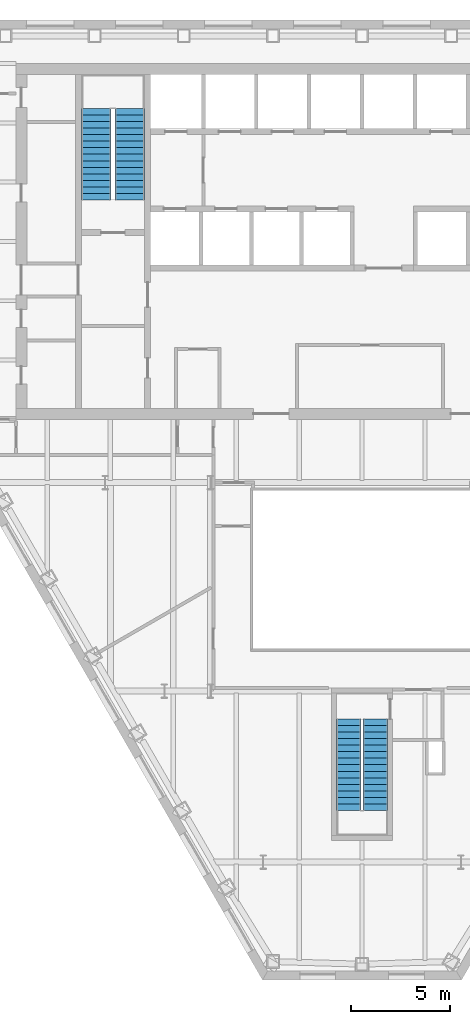
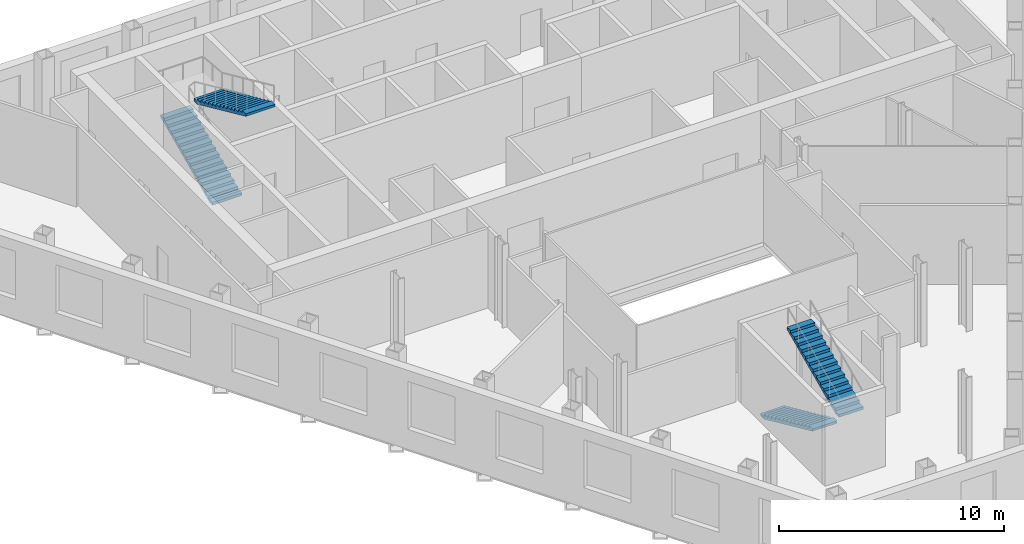
# One storey, part 9 of 11: 4 stair flights, 2 elements without a shape of their own.
"""IFC4 building model written with IfcOpenShell, lengths in metres."""

from ifc_helpers import new_model, si_unit, direction, frame, origin, place, context, subcontext, project, spatial, polygons, material, type_object, element, aggregate, save


model = new_model("IFC4")

# Units and contexts
model_context = context("Model", 3, precision=1e-05, world=origin(), true_north=direction((0.0, 1.0)))
body_context = subcontext(model_context, "Body", "Model", "MODEL_VIEW")
ifc_project = project(units=[si_unit("LENGTHUNIT", "METRE"), si_unit("AREAUNIT", "SQUARE_METRE"), si_unit("VOLUMEUNIT", "CUBIC_METRE"), si_unit("PLANEANGLEUNIT", "RADIAN"), si_unit("MASSUNIT", "GRAM", prefix="KILO")], contexts=[model_context])

# Site, building, storey
site_placement = place(None, origin())
site = spatial("IfcSite", under=ifc_project, at=site_placement, CompositionType="ELEMENT")
building_placement = place(site_placement, origin())
building = spatial("IfcBuilding", under=site, at=building_placement, Name="Njiva Tower", CompositionType="ELEMENT")
storey_placement = place(building_placement, frame((0.0, 0.0, 97.8)))
storey = spatial("IfcBuildingStorey", under=building, at=storey_placement, Name="L20", CompositionType="ELEMENT", Elevation=97.8)

# Stair, stair flights
ifc_material = material(Name="Concrete C40/50", Category="concrete")
stair_type_1 = type_object("IfcStairType", Name="ST1 Exit stair 1250", PredefinedType="HALF_TURN_STAIR", material=ifc_material)
stair_1_placement = place(storey_placement, origin())
stair_1 = element("IfcStair", 1, at=stair_1_placement, inside=storey, type_object=stair_type_1, Name="Stair C", PredefinedType="HALF_TURN_STAIR")
stair_flight_type_1 = type_object("IfcStairFlightType", Name="FL1 Stair flight 1250", PredefinedType="STRAIGHT", material=ifc_material)
stair_flight_1_placement = place(storey_placement, frame((-0.675, -15.16, 0.0), z_axis=(0.0, 0.0, 1.0), x_axis=(0.0, -1.0, 0.0)))
stair_flight_1 = element("IfcStairFlight", 2, at=stair_flight_1_placement, type_object=stair_flight_type_1, Name="ST-C flight 1", NumberOfRisers=15, NumberOfTreads=14, PredefinedType="STRAIGHT", RiserHeight=0.15, TreadLength=0.33, context=body_context, shape_type="Tessellation", body=[
    polygons([(0.0, 0.625, 0.0), (0.0, 0.3125, 0.0), (0.0, 0.0, 0.0), (0.0, -0.3125, 0.0), (0.0, -0.625, 0.0), (0.0, 0.625, 0.15), (0.0, 0.3125, 0.15), (0.0, 0.0, 0.15), (0.0, -0.3125, 0.15), (0.0, -0.625, 0.15), (0.33, 0.625, 0.15), (0.33, 0.3125, 0.15), (0.33, 0.0, 0.15), (0.33, -0.3125, 0.15), (0.33, -0.625, 0.15), (0.33, 0.625, 0.3), (0.33, 0.3125, 0.3), (0.33, 0.0, 0.3), (0.33, -0.3125, 0.3), (0.33, -0.625, 0.3), (0.66, 0.625, 0.3), (0.66, 0.3125, 0.3), (0.66, 0.0, 0.3), (0.66, -0.3125, 0.3), (0.66, -0.625, 0.3), (0.66, 0.625, 0.45), (0.66, 0.3125, 0.45), (0.66, 0.0, 0.45), (0.66, -0.3125, 0.45), (0.66, -0.625, 0.45), (0.99, 0.625, 0.45), (0.99, 0.3125, 0.45), (0.99, 0.0, 0.45), (0.99, -0.3125, 0.45), (0.99, -0.625, 0.45), (0.99, 0.625, 0.6), (0.99, 0.3125, 0.6), (0.99, 0.0, 0.6), (0.99, -0.3125, 0.6), (0.99, -0.625, 0.6), (1.32, 0.625, 0.6), (1.32, 0.3125, 0.6), (1.32, 0.0, 0.6), (1.32, -0.3125, 0.6), (1.32, -0.625, 0.6), (1.32, 0.625, 0.75), (1.32, 0.3125, 0.75), (1.32, 0.0, 0.75), (1.32, -0.3125, 0.75), (1.32, -0.625, 0.75), (1.65, 0.625, 0.75), (1.65, 0.3125, 0.75), (1.65, 0.0, 0.75), (1.65, -0.3125, 0.75), (1.65, -0.625, 0.75), (1.65, 0.625, 0.9), (1.65, 0.3125, 0.9), (1.65, 0.0, 0.9), (1.65, -0.3125, 0.9), (1.65, -0.625, 0.9), (1.98, 0.625, 0.9), (1.98, 0.3125, 0.9), (1.98, 0.0, 0.9), (1.98, -0.3125, 0.9), (1.98, -0.625, 0.9), (1.98, 0.625, 1.05), (1.98, 0.3125, 1.05), (1.98, 0.0, 1.05), (1.98, -0.3125, 1.05), (1.98, -0.625, 1.05), (2.31, 0.625, 1.05), (2.31, 0.3125, 1.05), (2.31, 0.0, 1.05), (2.31, -0.3125, 1.05), (2.31, -0.625, 1.05), (2.31, 0.625, 1.2), (2.31, 0.3125, 1.2), (2.31, 0.0, 1.2), (2.31, -0.3125, 1.2), (2.31, -0.625, 1.2), (2.64, 0.625, 1.2), (2.64, 0.3125, 1.2), (2.64, 0.0, 1.2), (2.64, -0.3125, 1.2), (2.64, -0.625, 1.2), (2.64, 0.625, 1.35), (2.64, 0.3125, 1.35), (2.64, 0.0, 1.35), (2.64, -0.3125, 1.35), (2.64, -0.625, 1.35), (2.97, 0.625, 1.35), (2.97, 0.3125, 1.35), (2.97, 0.0, 1.35), (2.97, -0.3125, 1.35), (2.97, -0.625, 1.35), (2.97, 0.625, 1.5), (2.97, 0.3125, 1.5), (2.97, 0.0, 1.5), (2.97, -0.3125, 1.5), (2.97, -0.625, 1.5), (3.3, 0.625, 1.5), (3.3, 0.3125, 1.5), (3.3, 0.0, 1.5), (3.3, -0.3125, 1.5), (3.3, -0.625, 1.5), (3.3, 0.625, 1.65), (3.3, 0.3125, 1.65), (3.3, 0.0, 1.65), (3.3, -0.3125, 1.65), (3.3, -0.625, 1.65), (3.63, 0.625, 1.65), (3.63, 0.3125, 1.65), (3.63, 0.0, 1.65), (3.63, -0.3125, 1.65), (3.63, -0.625, 1.65), (3.63, 0.625, 1.8), (3.63, 0.3125, 1.8), (3.63, 0.0, 1.8), (3.63, -0.3125, 1.8), (3.63, -0.625, 1.8), (3.96, 0.625, 1.8), (3.96, 0.3125, 1.8), (3.96, 0.0, 1.8), (3.96, -0.3125, 1.8), (3.96, -0.625, 1.8), (3.96, 0.625, 1.95), (3.96, 0.3125, 1.95), (3.96, 0.0, 1.95), (3.96, -0.3125, 1.95), (3.96, -0.625, 1.95), (4.29, 0.625, 1.95), (4.29, 0.3125, 1.95), (4.29, 0.0, 1.95), (4.29, -0.3125, 1.95), (4.29, -0.625, 1.95), (4.29, 0.625, 2.1), (4.29, 0.3125, 2.1), (4.29, 0.0, 2.1), (4.29, -0.3125, 2.1), (4.29, -0.625, 2.1), (4.62, 0.625, 2.1), (4.62, 0.3125, 2.1), (4.62, 0.0, 2.1), (4.62, -0.3125, 2.1), (4.62, -0.625, 2.1), (4.62, 0.625, 1.9682), (4.62, 0.3125, 1.9682), (4.62, 0.0, 1.9682), (4.62, -0.3125, 1.9682), (4.62, -0.625, 1.9682), (0.29, 0.625, 0.0), (0.29, 0.3125, 0.0), (0.29, 0.0, 0.0), (0.29, -0.3125, 0.0), (0.29, -0.625, 0.0)], [[[1, 6, 11, 16, 21, 26, 31, 36, 41, 46, 51, 56, 61, 66, 71, 76, 81, 86, 91, 96, 101, 106, 111, 116, 121, 126, 131, 136, 141, 146, 151]], [[155, 150, 145, 140, 135, 130, 125, 120, 115, 110, 105, 100, 95, 90, 85, 80, 75, 70, 65, 60, 55, 50, 45, 40, 35, 30, 25, 20, 15, 10, 5]], [[6, 1, 2, 7]], [[7, 2, 3, 8]], [[8, 3, 4, 9]], [[9, 4, 5, 10]], [[11, 6, 7, 12]], [[12, 7, 8, 13]], [[13, 8, 9, 14]], [[14, 9, 10, 15]], [[16, 11, 12, 17]], [[17, 12, 13, 18]], [[18, 13, 14, 19]], [[19, 14, 15, 20]], [[21, 16, 17, 22]], [[22, 17, 18, 23]], [[23, 18, 19, 24]], [[24, 19, 20, 25]], [[26, 21, 22, 27]], [[27, 22, 23, 28]], [[28, 23, 24, 29]], [[29, 24, 25, 30]], [[31, 26, 27, 32]], [[32, 27, 28, 33]], [[33, 28, 29, 34]], [[34, 29, 30, 35]], [[36, 31, 32, 37]], [[37, 32, 33, 38]], [[38, 33, 34, 39]], [[39, 34, 35, 40]], [[41, 36, 37, 42]], [[42, 37, 38, 43]], [[43, 38, 39, 44]], [[44, 39, 40, 45]], [[46, 41, 42, 47]], [[47, 42, 43, 48]], [[48, 43, 44, 49]], [[49, 44, 45, 50]], [[51, 46, 47, 52]], [[52, 47, 48, 53]], [[53, 48, 49, 54]], [[54, 49, 50, 55]], [[56, 51, 52, 57]], [[57, 52, 53, 58]], [[58, 53, 54, 59]], [[59, 54, 55, 60]], [[61, 56, 57, 62]], [[62, 57, 58, 63]], [[63, 58, 59, 64]], [[64, 59, 60, 65]], [[66, 61, 62, 67]], [[67, 62, 63, 68]], [[68, 63, 64, 69]], [[69, 64, 65, 70]], [[71, 66, 67, 72]], [[72, 67, 68, 73]], [[73, 68, 69, 74]], [[74, 69, 70, 75]], [[76, 71, 72, 77]], [[77, 72, 73, 78]], [[78, 73, 74, 79]], [[79, 74, 75, 80]], [[81, 76, 77, 82]], [[82, 77, 78, 83]], [[83, 78, 79, 84]], [[84, 79, 80, 85]], [[86, 81, 82, 87]], [[87, 82, 83, 88]], [[88, 83, 84, 89]], [[89, 84, 85, 90]], [[91, 86, 87, 92]], [[92, 87, 88, 93]], [[93, 88, 89, 94]], [[94, 89, 90, 95]], [[96, 91, 92, 97]], [[97, 92, 93, 98]], [[98, 93, 94, 99]], [[99, 94, 95, 100]], [[101, 96, 97, 102]], [[102, 97, 98, 103]], [[103, 98, 99, 104]], [[104, 99, 100, 105]], [[106, 101, 102, 107]], [[107, 102, 103, 108]], [[108, 103, 104, 109]], [[109, 104, 105, 110]], [[111, 106, 107, 112]], [[112, 107, 108, 113]], [[113, 108, 109, 114]], [[114, 109, 110, 115]], [[116, 111, 112, 117]], [[117, 112, 113, 118]], [[118, 113, 114, 119]], [[119, 114, 115, 120]], [[121, 116, 117, 122]], [[122, 117, 118, 123]], [[123, 118, 119, 124]], [[124, 119, 120, 125]], [[126, 121, 122, 127]], [[127, 122, 123, 128]], [[128, 123, 124, 129]], [[129, 124, 125, 130]], [[131, 126, 127, 132]], [[132, 127, 128, 133]], [[133, 128, 129, 134]], [[134, 129, 130, 135]], [[136, 131, 132, 137]], [[137, 132, 133, 138]], [[138, 133, 134, 139]], [[139, 134, 135, 140]], [[141, 136, 137, 142]], [[142, 137, 138, 143]], [[143, 138, 139, 144]], [[144, 139, 140, 145]], [[146, 141, 142, 147]], [[147, 142, 143, 148]], [[148, 143, 144, 149]], [[149, 144, 145, 150]], [[151, 146, 147, 152]], [[152, 147, 148, 153]], [[153, 148, 149, 154]], [[154, 149, 150, 155]], [[1, 151, 152, 2]], [[2, 152, 153, 3]], [[3, 153, 154, 4]], [[4, 154, 155, 5]]], closed=True),
])
stair_flight_2_placement = place(storey_placement, frame((0.675, -19.78, 2.25), z_axis=(0.0, 0.0, 1.0), x_axis=(0.0, 1.0, 0.0)))
stair_flight_2 = element("IfcStairFlight", 3, at=stair_flight_2_placement, type_object=stair_flight_type_1, Name="ST-C flight 2", NumberOfRisers=15, NumberOfTreads=14, PredefinedType="STRAIGHT", RiserHeight=0.15, TreadLength=0.33, context=body_context, shape_type="Tessellation", body=[
    polygons([(0.0, 0.625, 0.0), (0.0, 0.3125, 0.0), (0.0, 0.0, 0.0), (0.0, -0.3125, 0.0), (0.0, -0.625, 0.0), (0.0, 0.625, 0.15), (0.0, 0.3125, 0.15), (0.0, 0.0, 0.15), (0.0, -0.3125, 0.15), (0.0, -0.625, 0.15), (0.33, 0.625, 0.15), (0.33, 0.3125, 0.15), (0.33, 0.0, 0.15), (0.33, -0.3125, 0.15), (0.33, -0.625, 0.15), (0.33, 0.625, 0.3), (0.33, 0.3125, 0.3), (0.33, 0.0, 0.3), (0.33, -0.3125, 0.3), (0.33, -0.625, 0.3), (0.66, 0.625, 0.3), (0.66, 0.3125, 0.3), (0.66, 0.0, 0.3), (0.66, -0.3125, 0.3), (0.66, -0.625, 0.3), (0.66, 0.625, 0.45), (0.66, 0.3125, 0.45), (0.66, 0.0, 0.45), (0.66, -0.3125, 0.45), (0.66, -0.625, 0.45), (0.99, 0.625, 0.45), (0.99, 0.3125, 0.45), (0.99, 0.0, 0.45), (0.99, -0.3125, 0.45), (0.99, -0.625, 0.45), (0.99, 0.625, 0.6), (0.99, 0.3125, 0.6), (0.99, 0.0, 0.6), (0.99, -0.3125, 0.6), (0.99, -0.625, 0.6), (1.32, 0.625, 0.6), (1.32, 0.3125, 0.6), (1.32, 0.0, 0.6), (1.32, -0.3125, 0.6), (1.32, -0.625, 0.6), (1.32, 0.625, 0.75), (1.32, 0.3125, 0.75), (1.32, 0.0, 0.75), (1.32, -0.3125, 0.75), (1.32, -0.625, 0.75), (1.65, 0.625, 0.75), (1.65, 0.3125, 0.75), (1.65, 0.0, 0.75), (1.65, -0.3125, 0.75), (1.65, -0.625, 0.75), (1.65, 0.625, 0.9), (1.65, 0.3125, 0.9), (1.65, 0.0, 0.9), (1.65, -0.3125, 0.9), (1.65, -0.625, 0.9), (1.98, 0.625, 0.9), (1.98, 0.3125, 0.9), (1.98, 0.0, 0.9), (1.98, -0.3125, 0.9), (1.98, -0.625, 0.9), (1.98, 0.625, 1.05), (1.98, 0.3125, 1.05), (1.98, 0.0, 1.05), (1.98, -0.3125, 1.05), (1.98, -0.625, 1.05), (2.31, 0.625, 1.05), (2.31, 0.3125, 1.05), (2.31, 0.0, 1.05), (2.31, -0.3125, 1.05), (2.31, -0.625, 1.05), (2.31, 0.625, 1.2), (2.31, 0.3125, 1.2), (2.31, 0.0, 1.2), (2.31, -0.3125, 1.2), (2.31, -0.625, 1.2), (2.64, 0.625, 1.2), (2.64, 0.3125, 1.2), (2.64, 0.0, 1.2), (2.64, -0.3125, 1.2), (2.64, -0.625, 1.2), (2.64, 0.625, 1.35), (2.64, 0.3125, 1.35), (2.64, 0.0, 1.35), (2.64, -0.3125, 1.35), (2.64, -0.625, 1.35), (2.97, 0.625, 1.35), (2.97, 0.3125, 1.35), (2.97, 0.0, 1.35), (2.97, -0.3125, 1.35), (2.97, -0.625, 1.35), (2.97, 0.625, 1.5), (2.97, 0.3125, 1.5), (2.97, 0.0, 1.5), (2.97, -0.3125, 1.5), (2.97, -0.625, 1.5), (3.3, 0.625, 1.5), (3.3, 0.3125, 1.5), (3.3, 0.0, 1.5), (3.3, -0.3125, 1.5), (3.3, -0.625, 1.5), (3.3, 0.625, 1.65), (3.3, 0.3125, 1.65), (3.3, 0.0, 1.65), (3.3, -0.3125, 1.65), (3.3, -0.625, 1.65), (3.63, 0.625, 1.65), (3.63, 0.3125, 1.65), (3.63, 0.0, 1.65), (3.63, -0.3125, 1.65), (3.63, -0.625, 1.65), (3.63, 0.625, 1.8), (3.63, 0.3125, 1.8), (3.63, 0.0, 1.8), (3.63, -0.3125, 1.8), (3.63, -0.625, 1.8), (3.96, 0.625, 1.8), (3.96, 0.3125, 1.8), (3.96, 0.0, 1.8), (3.96, -0.3125, 1.8), (3.96, -0.625, 1.8), (3.96, 0.625, 1.95), (3.96, 0.3125, 1.95), (3.96, 0.0, 1.95), (3.96, -0.3125, 1.95), (3.96, -0.625, 1.95), (4.29, 0.625, 1.95), (4.29, 0.3125, 1.95), (4.29, 0.0, 1.95), (4.29, -0.3125, 1.95), (4.29, -0.625, 1.95), (4.29, 0.625, 2.1), (4.29, 0.3125, 2.1), (4.29, 0.0, 2.1), (4.29, -0.3125, 2.1), (4.29, -0.625, 2.1), (4.62, 0.625, 2.1), (4.62, 0.3125, 2.1), (4.62, 0.0, 2.1), (4.62, -0.3125, 2.1), (4.62, -0.625, 2.1), (4.62, 0.625, 1.9682), (4.62, 0.3125, 1.9682), (4.62, 0.0, 1.9682), (4.62, -0.3125, 1.9682), (4.62, -0.625, 1.9682), (0.29, 0.625, 0.0), (0.29, 0.3125, 0.0), (0.29, 0.0, 0.0), (0.29, -0.3125, 0.0), (0.29, -0.625, 0.0)], [[[1, 6, 11, 16, 21, 26, 31, 36, 41, 46, 51, 56, 61, 66, 71, 76, 81, 86, 91, 96, 101, 106, 111, 116, 121, 126, 131, 136, 141, 146, 151]], [[155, 150, 145, 140, 135, 130, 125, 120, 115, 110, 105, 100, 95, 90, 85, 80, 75, 70, 65, 60, 55, 50, 45, 40, 35, 30, 25, 20, 15, 10, 5]], [[6, 1, 2, 7]], [[7, 2, 3, 8]], [[8, 3, 4, 9]], [[9, 4, 5, 10]], [[11, 6, 7, 12]], [[12, 7, 8, 13]], [[13, 8, 9, 14]], [[14, 9, 10, 15]], [[16, 11, 12, 17]], [[17, 12, 13, 18]], [[18, 13, 14, 19]], [[19, 14, 15, 20]], [[21, 16, 17, 22]], [[22, 17, 18, 23]], [[23, 18, 19, 24]], [[24, 19, 20, 25]], [[26, 21, 22, 27]], [[27, 22, 23, 28]], [[28, 23, 24, 29]], [[29, 24, 25, 30]], [[31, 26, 27, 32]], [[32, 27, 28, 33]], [[33, 28, 29, 34]], [[34, 29, 30, 35]], [[36, 31, 32, 37]], [[37, 32, 33, 38]], [[38, 33, 34, 39]], [[39, 34, 35, 40]], [[41, 36, 37, 42]], [[42, 37, 38, 43]], [[43, 38, 39, 44]], [[44, 39, 40, 45]], [[46, 41, 42, 47]], [[47, 42, 43, 48]], [[48, 43, 44, 49]], [[49, 44, 45, 50]], [[51, 46, 47, 52]], [[52, 47, 48, 53]], [[53, 48, 49, 54]], [[54, 49, 50, 55]], [[56, 51, 52, 57]], [[57, 52, 53, 58]], [[58, 53, 54, 59]], [[59, 54, 55, 60]], [[61, 56, 57, 62]], [[62, 57, 58, 63]], [[63, 58, 59, 64]], [[64, 59, 60, 65]], [[66, 61, 62, 67]], [[67, 62, 63, 68]], [[68, 63, 64, 69]], [[69, 64, 65, 70]], [[71, 66, 67, 72]], [[72, 67, 68, 73]], [[73, 68, 69, 74]], [[74, 69, 70, 75]], [[76, 71, 72, 77]], [[77, 72, 73, 78]], [[78, 73, 74, 79]], [[79, 74, 75, 80]], [[81, 76, 77, 82]], [[82, 77, 78, 83]], [[83, 78, 79, 84]], [[84, 79, 80, 85]], [[86, 81, 82, 87]], [[87, 82, 83, 88]], [[88, 83, 84, 89]], [[89, 84, 85, 90]], [[91, 86, 87, 92]], [[92, 87, 88, 93]], [[93, 88, 89, 94]], [[94, 89, 90, 95]], [[96, 91, 92, 97]], [[97, 92, 93, 98]], [[98, 93, 94, 99]], [[99, 94, 95, 100]], [[101, 96, 97, 102]], [[102, 97, 98, 103]], [[103, 98, 99, 104]], [[104, 99, 100, 105]], [[106, 101, 102, 107]], [[107, 102, 103, 108]], [[108, 103, 104, 109]], [[109, 104, 105, 110]], [[111, 106, 107, 112]], [[112, 107, 108, 113]], [[113, 108, 109, 114]], [[114, 109, 110, 115]], [[116, 111, 112, 117]], [[117, 112, 113, 118]], [[118, 113, 114, 119]], [[119, 114, 115, 120]], [[121, 116, 117, 122]], [[122, 117, 118, 123]], [[123, 118, 119, 124]], [[124, 119, 120, 125]], [[126, 121, 122, 127]], [[127, 122, 123, 128]], [[128, 123, 124, 129]], [[129, 124, 125, 130]], [[131, 126, 127, 132]], [[132, 127, 128, 133]], [[133, 128, 129, 134]], [[134, 129, 130, 135]], [[136, 131, 132, 137]], [[137, 132, 133, 138]], [[138, 133, 134, 139]], [[139, 134, 135, 140]], [[141, 136, 137, 142]], [[142, 137, 138, 143]], [[143, 138, 139, 144]], [[144, 139, 140, 145]], [[146, 141, 142, 147]], [[147, 142, 143, 148]], [[148, 143, 144, 149]], [[149, 144, 145, 150]], [[151, 146, 147, 152]], [[152, 147, 148, 153]], [[153, 148, 149, 154]], [[154, 149, 150, 155]], [[1, 151, 152, 2]], [[2, 152, 153, 3]], [[3, 153, 154, 4]], [[4, 154, 155, 5]]], closed=True),
])
aggregate(stair_1, [stair_flight_1, stair_flight_2])

stair_type_2 = type_object("IfcStairType", Name="ST4 Exit stair 1500", PredefinedType="HALF_TURN_STAIR", material=ifc_material)
stair_2_placement = place(storey_placement, origin())
stair_2 = element("IfcStair", 4, at=stair_2_placement, inside=storey, type_object=stair_type_2, Name="Stair A", PredefinedType="HALF_TURN_STAIR")
stair_flight_type_2 = type_object("IfcStairFlightType", Name="FL4 Stair flight 1500", PredefinedType="STRAIGHT", material=ifc_material)
stair_flight_3_placement = place(storey_placement, frame((-13.45, 11.1, 0.0), z_axis=(0.0, 0.0, 1.0), x_axis=(0.0, 1.0, 0.0)))
stair_flight_3 = element("IfcStairFlight", 5, at=stair_flight_3_placement, type_object=stair_flight_type_2, Name="ST-A flight 1", NumberOfRisers=15, NumberOfTreads=14, PredefinedType="STRAIGHT", RiserHeight=0.15, TreadLength=0.33, context=body_context, shape_type="Tessellation", body=[
    polygons([(0.0, 0.75, 0.0), (0.0, 0.375, 0.0), (0.0, 0.0, 0.0), (0.0, -0.375, 0.0), (0.0, -0.75, 0.0), (0.0, 0.75, 0.15), (0.0, 0.375, 0.15), (0.0, 0.0, 0.15), (0.0, -0.375, 0.15), (0.0, -0.75, 0.15), (0.33, 0.75, 0.15), (0.33, 0.375, 0.15), (0.33, 0.0, 0.15), (0.33, -0.375, 0.15), (0.33, -0.75, 0.15), (0.33, 0.75, 0.3), (0.33, 0.375, 0.3), (0.33, 0.0, 0.3), (0.33, -0.375, 0.3), (0.33, -0.75, 0.3), (0.66, 0.75, 0.3), (0.66, 0.375, 0.3), (0.66, 0.0, 0.3), (0.66, -0.375, 0.3), (0.66, -0.75, 0.3), (0.66, 0.75, 0.45), (0.66, 0.375, 0.45), (0.66, 0.0, 0.45), (0.66, -0.375, 0.45), (0.66, -0.75, 0.45), (0.99, 0.75, 0.45), (0.99, 0.375, 0.45), (0.99, 0.0, 0.45), (0.99, -0.375, 0.45), (0.99, -0.75, 0.45), (0.99, 0.75, 0.6), (0.99, 0.375, 0.6), (0.99, 0.0, 0.6), (0.99, -0.375, 0.6), (0.99, -0.75, 0.6), (1.32, 0.75, 0.6), (1.32, 0.375, 0.6), (1.32, 0.0, 0.6), (1.32, -0.375, 0.6), (1.32, -0.75, 0.6), (1.32, 0.75, 0.75), (1.32, 0.375, 0.75), (1.32, 0.0, 0.75), (1.32, -0.375, 0.75), (1.32, -0.75, 0.75), (1.65, 0.75, 0.75), (1.65, 0.375, 0.75), (1.65, 0.0, 0.75), (1.65, -0.375, 0.75), (1.65, -0.75, 0.75), (1.65, 0.75, 0.9), (1.65, 0.375, 0.9), (1.65, 0.0, 0.9), (1.65, -0.375, 0.9), (1.65, -0.75, 0.9), (1.98, 0.75, 0.9), (1.98, 0.375, 0.9), (1.98, 0.0, 0.9), (1.98, -0.375, 0.9), (1.98, -0.75, 0.9), (1.98, 0.75, 1.05), (1.98, 0.375, 1.05), (1.98, 0.0, 1.05), (1.98, -0.375, 1.05), (1.98, -0.75, 1.05), (2.31, 0.75, 1.05), (2.31, 0.375, 1.05), (2.31, 0.0, 1.05), (2.31, -0.375, 1.05), (2.31, -0.75, 1.05), (2.31, 0.75, 1.2), (2.31, 0.375, 1.2), (2.31, 0.0, 1.2), (2.31, -0.375, 1.2), (2.31, -0.75, 1.2), (2.64, 0.75, 1.2), (2.64, 0.375, 1.2), (2.64, 0.0, 1.2), (2.64, -0.375, 1.2), (2.64, -0.75, 1.2), (2.64, 0.75, 1.35), (2.64, 0.375, 1.35), (2.64, 0.0, 1.35), (2.64, -0.375, 1.35), (2.64, -0.75, 1.35), (2.97, 0.75, 1.35), (2.97, 0.375, 1.35), (2.97, 0.0, 1.35), (2.97, -0.375, 1.35), (2.97, -0.75, 1.35), (2.97, 0.75, 1.5), (2.97, 0.375, 1.5), (2.97, 0.0, 1.5), (2.97, -0.375, 1.5), (2.97, -0.75, 1.5), (3.3, 0.75, 1.5), (3.3, 0.375, 1.5), (3.3, 0.0, 1.5), (3.3, -0.375, 1.5), (3.3, -0.75, 1.5), (3.3, 0.75, 1.65), (3.3, 0.375, 1.65), (3.3, 0.0, 1.65), (3.3, -0.375, 1.65), (3.3, -0.75, 1.65), (3.63, 0.75, 1.65), (3.63, 0.375, 1.65), (3.63, 0.0, 1.65), (3.63, -0.375, 1.65), (3.63, -0.75, 1.65), (3.63, 0.75, 1.8), (3.63, 0.375, 1.8), (3.63, 0.0, 1.8), (3.63, -0.375, 1.8), (3.63, -0.75, 1.8), (3.96, 0.75, 1.8), (3.96, 0.375, 1.8), (3.96, 0.0, 1.8), (3.96, -0.375, 1.8), (3.96, -0.75, 1.8), (3.96, 0.75, 1.95), (3.96, 0.375, 1.95), (3.96, 0.0, 1.95), (3.96, -0.375, 1.95), (3.96, -0.75, 1.95), (4.29, 0.75, 1.95), (4.29, 0.375, 1.95), (4.29, 0.0, 1.95), (4.29, -0.375, 1.95), (4.29, -0.75, 1.95), (4.29, 0.75, 2.1), (4.29, 0.375, 2.1), (4.29, 0.0, 2.1), (4.29, -0.375, 2.1), (4.29, -0.75, 2.1), (4.62, 0.75, 2.1), (4.62, 0.375, 2.1), (4.62, 0.0, 2.1), (4.62, -0.375, 2.1), (4.62, -0.75, 2.1), (4.62, 0.75, 1.9682), (4.62, 0.375, 1.9682), (4.62, 0.0, 1.9682), (4.62, -0.375, 1.9682), (4.62, -0.75, 1.9682), (0.29, 0.75, 0.0), (0.29, 0.375, 0.0), (0.29, 0.0, 0.0), (0.29, -0.375, 0.0), (0.29, -0.75, 0.0)], [[[1, 6, 11, 16, 21, 26, 31, 36, 41, 46, 51, 56, 61, 66, 71, 76, 81, 86, 91, 96, 101, 106, 111, 116, 121, 126, 131, 136, 141, 146, 151]], [[155, 150, 145, 140, 135, 130, 125, 120, 115, 110, 105, 100, 95, 90, 85, 80, 75, 70, 65, 60, 55, 50, 45, 40, 35, 30, 25, 20, 15, 10, 5]], [[6, 1, 2, 7]], [[7, 2, 3, 8]], [[8, 3, 4, 9]], [[9, 4, 5, 10]], [[11, 6, 7, 12]], [[12, 7, 8, 13]], [[13, 8, 9, 14]], [[14, 9, 10, 15]], [[16, 11, 12, 17]], [[17, 12, 13, 18]], [[18, 13, 14, 19]], [[19, 14, 15, 20]], [[21, 16, 17, 22]], [[22, 17, 18, 23]], [[23, 18, 19, 24]], [[24, 19, 20, 25]], [[26, 21, 22, 27]], [[27, 22, 23, 28]], [[28, 23, 24, 29]], [[29, 24, 25, 30]], [[31, 26, 27, 32]], [[32, 27, 28, 33]], [[33, 28, 29, 34]], [[34, 29, 30, 35]], [[36, 31, 32, 37]], [[37, 32, 33, 38]], [[38, 33, 34, 39]], [[39, 34, 35, 40]], [[41, 36, 37, 42]], [[42, 37, 38, 43]], [[43, 38, 39, 44]], [[44, 39, 40, 45]], [[46, 41, 42, 47]], [[47, 42, 43, 48]], [[48, 43, 44, 49]], [[49, 44, 45, 50]], [[51, 46, 47, 52]], [[52, 47, 48, 53]], [[53, 48, 49, 54]], [[54, 49, 50, 55]], [[56, 51, 52, 57]], [[57, 52, 53, 58]], [[58, 53, 54, 59]], [[59, 54, 55, 60]], [[61, 56, 57, 62]], [[62, 57, 58, 63]], [[63, 58, 59, 64]], [[64, 59, 60, 65]], [[66, 61, 62, 67]], [[67, 62, 63, 68]], [[68, 63, 64, 69]], [[69, 64, 65, 70]], [[71, 66, 67, 72]], [[72, 67, 68, 73]], [[73, 68, 69, 74]], [[74, 69, 70, 75]], [[76, 71, 72, 77]], [[77, 72, 73, 78]], [[78, 73, 74, 79]], [[79, 74, 75, 80]], [[81, 76, 77, 82]], [[82, 77, 78, 83]], [[83, 78, 79, 84]], [[84, 79, 80, 85]], [[86, 81, 82, 87]], [[87, 82, 83, 88]], [[88, 83, 84, 89]], [[89, 84, 85, 90]], [[91, 86, 87, 92]], [[92, 87, 88, 93]], [[93, 88, 89, 94]], [[94, 89, 90, 95]], [[96, 91, 92, 97]], [[97, 92, 93, 98]], [[98, 93, 94, 99]], [[99, 94, 95, 100]], [[101, 96, 97, 102]], [[102, 97, 98, 103]], [[103, 98, 99, 104]], [[104, 99, 100, 105]], [[106, 101, 102, 107]], [[107, 102, 103, 108]], [[108, 103, 104, 109]], [[109, 104, 105, 110]], [[111, 106, 107, 112]], [[112, 107, 108, 113]], [[113, 108, 109, 114]], [[114, 109, 110, 115]], [[116, 111, 112, 117]], [[117, 112, 113, 118]], [[118, 113, 114, 119]], [[119, 114, 115, 120]], [[121, 116, 117, 122]], [[122, 117, 118, 123]], [[123, 118, 119, 124]], [[124, 119, 120, 125]], [[126, 121, 122, 127]], [[127, 122, 123, 128]], [[128, 123, 124, 129]], [[129, 124, 125, 130]], [[131, 126, 127, 132]], [[132, 127, 128, 133]], [[133, 128, 129, 134]], [[134, 129, 130, 135]], [[136, 131, 132, 137]], [[137, 132, 133, 138]], [[138, 133, 134, 139]], [[139, 134, 135, 140]], [[141, 136, 137, 142]], [[142, 137, 138, 143]], [[143, 138, 139, 144]], [[144, 139, 140, 145]], [[146, 141, 142, 147]], [[147, 142, 143, 148]], [[148, 143, 144, 149]], [[149, 144, 145, 150]], [[151, 146, 147, 152]], [[152, 147, 148, 153]], [[153, 148, 149, 154]], [[154, 149, 150, 155]], [[1, 151, 152, 2]], [[2, 152, 153, 3]], [[3, 153, 154, 4]], [[4, 154, 155, 5]]], closed=True),
])
stair_flight_4_placement = place(storey_placement, frame((-11.75, 15.72, 2.25), z_axis=(0.0, 0.0, 1.0), x_axis=(0.0, -1.0, 0.0)))
stair_flight_4 = element("IfcStairFlight", 6, at=stair_flight_4_placement, type_object=stair_flight_type_2, Name="ST-A flight 2", NumberOfRisers=15, NumberOfTreads=14, PredefinedType="STRAIGHT", RiserHeight=0.15, TreadLength=0.33, context=body_context, shape_type="Tessellation", body=[
    polygons([(0.0, 0.75, 0.0), (0.0, 0.375, 0.0), (0.0, 0.0, 0.0), (0.0, -0.375, 0.0), (0.0, -0.75, 0.0), (0.0, 0.75, 0.15), (0.0, 0.375, 0.15), (0.0, 0.0, 0.15), (0.0, -0.375, 0.15), (0.0, -0.75, 0.15), (0.33, 0.75, 0.15), (0.33, 0.375, 0.15), (0.33, 0.0, 0.15), (0.33, -0.375, 0.15), (0.33, -0.75, 0.15), (0.33, 0.75, 0.3), (0.33, 0.375, 0.3), (0.33, 0.0, 0.3), (0.33, -0.375, 0.3), (0.33, -0.75, 0.3), (0.66, 0.75, 0.3), (0.66, 0.375, 0.3), (0.66, 0.0, 0.3), (0.66, -0.375, 0.3), (0.66, -0.75, 0.3), (0.66, 0.75, 0.45), (0.66, 0.375, 0.45), (0.66, 0.0, 0.45), (0.66, -0.375, 0.45), (0.66, -0.75, 0.45), (0.99, 0.75, 0.45), (0.99, 0.375, 0.45), (0.99, 0.0, 0.45), (0.99, -0.375, 0.45), (0.99, -0.75, 0.45), (0.99, 0.75, 0.6), (0.99, 0.375, 0.6), (0.99, 0.0, 0.6), (0.99, -0.375, 0.6), (0.99, -0.75, 0.6), (1.32, 0.75, 0.6), (1.32, 0.375, 0.6), (1.32, 0.0, 0.6), (1.32, -0.375, 0.6), (1.32, -0.75, 0.6), (1.32, 0.75, 0.75), (1.32, 0.375, 0.75), (1.32, 0.0, 0.75), (1.32, -0.375, 0.75), (1.32, -0.75, 0.75), (1.65, 0.75, 0.75), (1.65, 0.375, 0.75), (1.65, 0.0, 0.75), (1.65, -0.375, 0.75), (1.65, -0.75, 0.75), (1.65, 0.75, 0.9), (1.65, 0.375, 0.9), (1.65, 0.0, 0.9), (1.65, -0.375, 0.9), (1.65, -0.75, 0.9), (1.98, 0.75, 0.9), (1.98, 0.375, 0.9), (1.98, 0.0, 0.9), (1.98, -0.375, 0.9), (1.98, -0.75, 0.9), (1.98, 0.75, 1.05), (1.98, 0.375, 1.05), (1.98, 0.0, 1.05), (1.98, -0.375, 1.05), (1.98, -0.75, 1.05), (2.31, 0.75, 1.05), (2.31, 0.375, 1.05), (2.31, 0.0, 1.05), (2.31, -0.375, 1.05), (2.31, -0.75, 1.05), (2.31, 0.75, 1.2), (2.31, 0.375, 1.2), (2.31, 0.0, 1.2), (2.31, -0.375, 1.2), (2.31, -0.75, 1.2), (2.64, 0.75, 1.2), (2.64, 0.375, 1.2), (2.64, 0.0, 1.2), (2.64, -0.375, 1.2), (2.64, -0.75, 1.2), (2.64, 0.75, 1.35), (2.64, 0.375, 1.35), (2.64, 0.0, 1.35), (2.64, -0.375, 1.35), (2.64, -0.75, 1.35), (2.97, 0.75, 1.35), (2.97, 0.375, 1.35), (2.97, 0.0, 1.35), (2.97, -0.375, 1.35), (2.97, -0.75, 1.35), (2.97, 0.75, 1.5), (2.97, 0.375, 1.5), (2.97, 0.0, 1.5), (2.97, -0.375, 1.5), (2.97, -0.75, 1.5), (3.3, 0.75, 1.5), (3.3, 0.375, 1.5), (3.3, 0.0, 1.5), (3.3, -0.375, 1.5), (3.3, -0.75, 1.5), (3.3, 0.75, 1.65), (3.3, 0.375, 1.65), (3.3, 0.0, 1.65), (3.3, -0.375, 1.65), (3.3, -0.75, 1.65), (3.63, 0.75, 1.65), (3.63, 0.375, 1.65), (3.63, 0.0, 1.65), (3.63, -0.375, 1.65), (3.63, -0.75, 1.65), (3.63, 0.75, 1.8), (3.63, 0.375, 1.8), (3.63, 0.0, 1.8), (3.63, -0.375, 1.8), (3.63, -0.75, 1.8), (3.96, 0.75, 1.8), (3.96, 0.375, 1.8), (3.96, 0.0, 1.8), (3.96, -0.375, 1.8), (3.96, -0.75, 1.8), (3.96, 0.75, 1.95), (3.96, 0.375, 1.95), (3.96, 0.0, 1.95), (3.96, -0.375, 1.95), (3.96, -0.75, 1.95), (4.29, 0.75, 1.95), (4.29, 0.375, 1.95), (4.29, 0.0, 1.95), (4.29, -0.375, 1.95), (4.29, -0.75, 1.95), (4.29, 0.75, 2.1), (4.29, 0.375, 2.1), (4.29, 0.0, 2.1), (4.29, -0.375, 2.1), (4.29, -0.75, 2.1), (4.62, 0.75, 2.1), (4.62, 0.375, 2.1), (4.62, 0.0, 2.1), (4.62, -0.375, 2.1), (4.62, -0.75, 2.1), (4.62, 0.75, 1.9682), (4.62, 0.375, 1.9682), (4.62, 0.0, 1.9682), (4.62, -0.375, 1.9682), (4.62, -0.75, 1.9682), (0.29, 0.75, 0.0), (0.29, 0.375, 0.0), (0.29, 0.0, 0.0), (0.29, -0.375, 0.0), (0.29, -0.75, 0.0)], [[[1, 6, 11, 16, 21, 26, 31, 36, 41, 46, 51, 56, 61, 66, 71, 76, 81, 86, 91, 96, 101, 106, 111, 116, 121, 126, 131, 136, 141, 146, 151]], [[155, 150, 145, 140, 135, 130, 125, 120, 115, 110, 105, 100, 95, 90, 85, 80, 75, 70, 65, 60, 55, 50, 45, 40, 35, 30, 25, 20, 15, 10, 5]], [[6, 1, 2, 7]], [[7, 2, 3, 8]], [[8, 3, 4, 9]], [[9, 4, 5, 10]], [[11, 6, 7, 12]], [[12, 7, 8, 13]], [[13, 8, 9, 14]], [[14, 9, 10, 15]], [[16, 11, 12, 17]], [[17, 12, 13, 18]], [[18, 13, 14, 19]], [[19, 14, 15, 20]], [[21, 16, 17, 22]], [[22, 17, 18, 23]], [[23, 18, 19, 24]], [[24, 19, 20, 25]], [[26, 21, 22, 27]], [[27, 22, 23, 28]], [[28, 23, 24, 29]], [[29, 24, 25, 30]], [[31, 26, 27, 32]], [[32, 27, 28, 33]], [[33, 28, 29, 34]], [[34, 29, 30, 35]], [[36, 31, 32, 37]], [[37, 32, 33, 38]], [[38, 33, 34, 39]], [[39, 34, 35, 40]], [[41, 36, 37, 42]], [[42, 37, 38, 43]], [[43, 38, 39, 44]], [[44, 39, 40, 45]], [[46, 41, 42, 47]], [[47, 42, 43, 48]], [[48, 43, 44, 49]], [[49, 44, 45, 50]], [[51, 46, 47, 52]], [[52, 47, 48, 53]], [[53, 48, 49, 54]], [[54, 49, 50, 55]], [[56, 51, 52, 57]], [[57, 52, 53, 58]], [[58, 53, 54, 59]], [[59, 54, 55, 60]], [[61, 56, 57, 62]], [[62, 57, 58, 63]], [[63, 58, 59, 64]], [[64, 59, 60, 65]], [[66, 61, 62, 67]], [[67, 62, 63, 68]], [[68, 63, 64, 69]], [[69, 64, 65, 70]], [[71, 66, 67, 72]], [[72, 67, 68, 73]], [[73, 68, 69, 74]], [[74, 69, 70, 75]], [[76, 71, 72, 77]], [[77, 72, 73, 78]], [[78, 73, 74, 79]], [[79, 74, 75, 80]], [[81, 76, 77, 82]], [[82, 77, 78, 83]], [[83, 78, 79, 84]], [[84, 79, 80, 85]], [[86, 81, 82, 87]], [[87, 82, 83, 88]], [[88, 83, 84, 89]], [[89, 84, 85, 90]], [[91, 86, 87, 92]], [[92, 87, 88, 93]], [[93, 88, 89, 94]], [[94, 89, 90, 95]], [[96, 91, 92, 97]], [[97, 92, 93, 98]], [[98, 93, 94, 99]], [[99, 94, 95, 100]], [[101, 96, 97, 102]], [[102, 97, 98, 103]], [[103, 98, 99, 104]], [[104, 99, 100, 105]], [[106, 101, 102, 107]], [[107, 102, 103, 108]], [[108, 103, 104, 109]], [[109, 104, 105, 110]], [[111, 106, 107, 112]], [[112, 107, 108, 113]], [[113, 108, 109, 114]], [[114, 109, 110, 115]], [[116, 111, 112, 117]], [[117, 112, 113, 118]], [[118, 113, 114, 119]], [[119, 114, 115, 120]], [[121, 116, 117, 122]], [[122, 117, 118, 123]], [[123, 118, 119, 124]], [[124, 119, 120, 125]], [[126, 121, 122, 127]], [[127, 122, 123, 128]], [[128, 123, 124, 129]], [[129, 124, 125, 130]], [[131, 126, 127, 132]], [[132, 127, 128, 133]], [[133, 128, 129, 134]], [[134, 129, 130, 135]], [[136, 131, 132, 137]], [[137, 132, 133, 138]], [[138, 133, 134, 139]], [[139, 134, 135, 140]], [[141, 136, 137, 142]], [[142, 137, 138, 143]], [[143, 138, 139, 144]], [[144, 139, 140, 145]], [[146, 141, 142, 147]], [[147, 142, 143, 148]], [[148, 143, 144, 149]], [[149, 144, 145, 150]], [[151, 146, 147, 152]], [[152, 147, 148, 153]], [[153, 148, 149, 154]], [[154, 149, 150, 155]], [[1, 151, 152, 2]], [[2, 152, 153, 3]], [[3, 153, 154, 4]], [[4, 154, 155, 5]]], closed=True),
])
aggregate(stair_2, [stair_flight_3, stair_flight_4])

save(model, "model.ifc")
